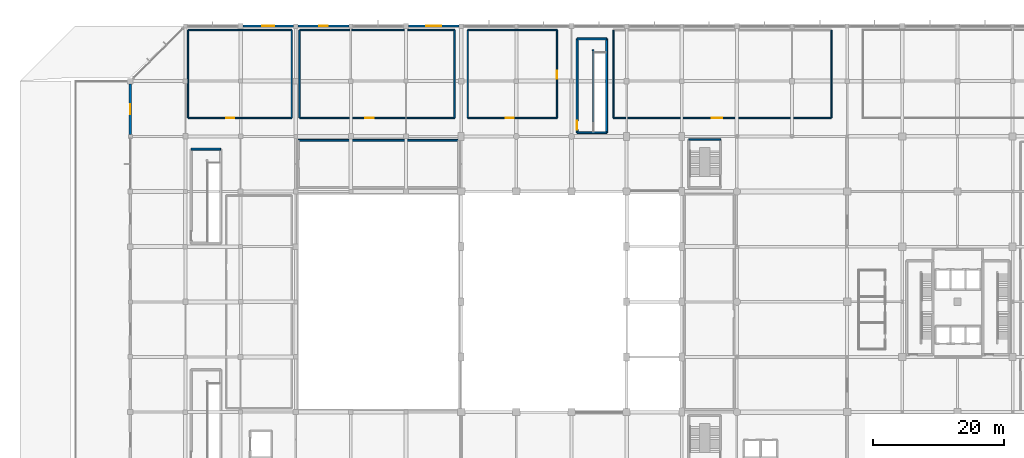
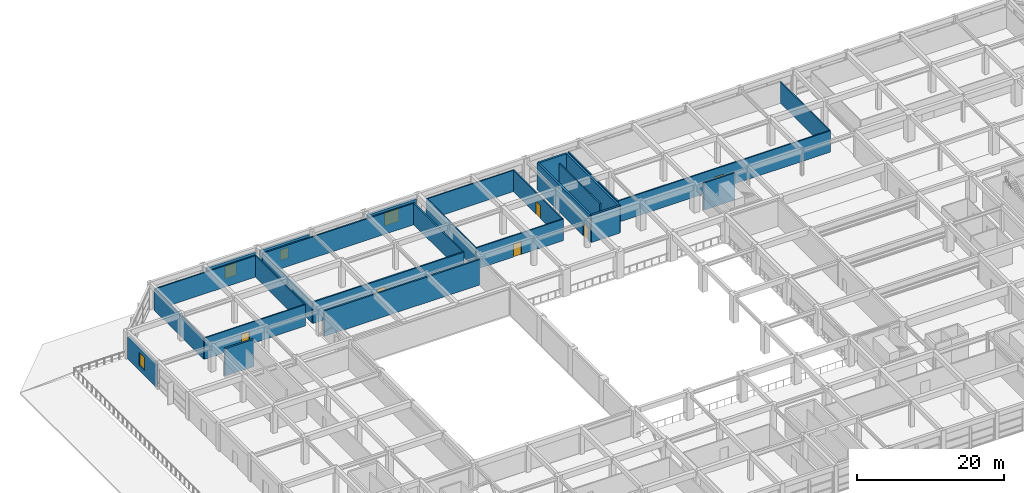
# One storey, part 45 of 56: 27 walls, 6 doors, 4 windows, 10 openings.
"""IFC4 building model written with IfcOpenShell, lengths in metres."""

import ifcopenshell
import ifcopenshell.guid

model = None  # the IFC model being written
_history = None  # IfcOwnerHistory: only IFC2X3 demands one
_inside = {}  # id of a spatial element -> (the spatial element, [elements in it])
_under = {}  # id of a project, library or spatial element -> (it, [spatial elements below it])
_declared = {}  # id of a project -> (the project, [libraries it declares])
_typed = {}  # id of a type object -> (the type object, [elements of that type])
_made_of = {}  # id of a material, layer set ... -> (it, [elements and type objects made of it])


def new_model(schema):
    """Start an empty IFC model of exactly this schema.

    Asked for "IFC4X3", IfcOpenShell would pick the latest addendum, in which some entities
    have other attributes; the version numbers below select the first issue.
    IFC2X3 requires an IfcOwnerHistory on every rooted entity: one is made here for all.
    """
    global model, _history
    if schema == "IFC4X3":
        model = ifcopenshell.file(schema_version=(4, 3, 0, 0))
    else:
        model = ifcopenshell.file(schema=schema)
    _inside.clear()
    _under.clear()
    _declared.clear()
    _typed.clear()
    _made_of.clear()
    _history = None
    if model.schema == "IFC2X3":
        org = make("IfcOrganization", Name="unknown")
        user = make(
            "IfcPersonAndOrganization",
            ThePerson=make("IfcPerson", FamilyName="unknown"),
            TheOrganization=org,
        )
        app = make(
            "IfcApplication",
            ApplicationDeveloper=org,
            Version="unknown",
            ApplicationFullName="unknown",
            ApplicationIdentifier="unknown",
        )
        _history = make(
            "IfcOwnerHistory",
            OwningUser=user,
            OwningApplication=app,
            ChangeAction="ADDED",
            CreationDate=0,
        )
    return model


def make(cls, **values):
    """One entity of the class cls with the attributes given. An attribute that is None is left unset."""
    return model.create_entity(
        cls, **{name: value for name, value in values.items() if value is not None}
    )


def rooted(cls, **values):
    """An entity with a GlobalId (a new one), such as an element, a storey or a relation."""
    return make(cls, GlobalId=ifcopenshell.guid.new(), OwnerHistory=_history, **values)


def si_unit(unit_type, name, prefix=None):
    """IfcSIUnit, for example si_unit("LENGTHUNIT", "METRE", prefix="MILLI")."""
    return make("IfcSIUnit", UnitType=unit_type, Prefix=prefix, Name=name)


def assignment(units):
    """IfcUnitAssignment: the units of a project."""
    return None if units is None else make("IfcUnitAssignment", Units=units)


def point(xyz):
    """IfcCartesianPoint."""
    return None if xyz is None else make("IfcCartesianPoint", Coordinates=xyz)


def direction(xyz):
    """IfcDirection."""
    return None if xyz is None else make("IfcDirection", DirectionRatios=xyz)


def frame(location, z_axis=None, x_axis=None):
    """IfcAxis2Placement3D, a coordinate frame: its origin and axes. An axis left out is left unset."""
    return make(
        "IfcAxis2Placement3D",
        Location=point(location),
        Axis=direction(z_axis),
        RefDirection=direction(x_axis),
    )


def frame_2d(location, x_axis=None):
    """IfcAxis2Placement2D, a coordinate frame in the plane: its origin and x axis."""
    return make(
        "IfcAxis2Placement2D", Location=point(location), RefDirection=direction(x_axis)
    )


def origin():
    """The frame at (0, 0, 0) with its axes left unset."""
    return frame((0.0, 0.0, 0.0))


def place(relative_to, where):
    """IfcLocalPlacement: puts the frame where relative to a parent placement (None: the world)."""
    return make(
        "IfcLocalPlacement", PlacementRelTo=relative_to, RelativePlacement=where
    )


def context(
    kind, dimensions, precision=None, world=None, true_north=None, identifier=None
):
    """IfcGeometricRepresentationContext, for example the 3D "Model" context."""
    return make(
        "IfcGeometricRepresentationContext",
        ContextIdentifier=identifier,
        ContextType=kind,
        CoordinateSpaceDimension=dimensions,
        Precision=precision,
        WorldCoordinateSystem=world,
        TrueNorth=true_north,
    )


def subcontext(parent, identifier, kind, view, scale=None):
    """IfcGeometricRepresentationSubContext, for example "Body" below "Model"."""
    return make(
        "IfcGeometricRepresentationSubContext",
        ContextIdentifier=identifier,
        ContextType=kind,
        ParentContext=parent,
        TargetScale=scale,
        TargetView=view,
    )


def project(units=None, contexts=None):
    """IfcProject with its units and contexts."""
    return rooted(
        "IfcProject",
        Name="project",
        RepresentationContexts=contexts,
        UnitsInContext=assignment(units),
    )


def spatial(cls, under=None, at=None, **own):
    """A site, building, storey or space (cls), placed at a placement, below another one or the project."""
    s = rooted(cls, ObjectPlacement=at, **own)
    if under is not None:
        _under.setdefault(under.id(), (under, []))[1].append(s)
    return s


def profile(cls, at=None, kind="AREA", **sizes):
    """A parametric profile (cls). Its sizes go by their IFC names, for example OverallWidth=200.0."""
    return make(cls, ProfileType=kind, Position=at, **sizes)


def rectangle(**sizes):
    """IfcRectangleProfileDef."""
    return profile("IfcRectangleProfileDef", **sizes)


def extrude(swept, where, along, depth):
    """IfcExtrudedAreaSolid: the profile swept, set in the frame where, extruded along a direction by depth."""
    return make(
        "IfcExtrudedAreaSolid",
        SweptArea=swept,
        Position=where,
        ExtrudedDirection=direction(along),
        Depth=depth,
    )


def shape(context_of_items, identifier, shape_type, items):
    """IfcShapeRepresentation: the items that make up one representation, for example the "Body"."""
    return make(
        "IfcShapeRepresentation",
        ContextOfItems=context_of_items,
        RepresentationIdentifier=identifier,
        RepresentationType=shape_type,
        Items=items,
    )


def material(Name=None, Category=None):
    """IfcMaterial."""
    return make("IfcMaterial", Name=Name, Category=Category)


def layer(
    of_material, thickness, ventilated=None, Name=None, Category=None, Priority=None
):
    """IfcMaterialLayer: one layer of a wall or slab, of a material (None: an air gap)."""
    return make(
        "IfcMaterialLayer",
        Material=of_material,
        LayerThickness=thickness,
        IsVentilated=ventilated,
        Name=Name,
        Category=Category,
        Priority=Priority,
    )


def layer_set(layers, Name=None):
    """IfcMaterialLayerSet."""
    return make("IfcMaterialLayerSet", MaterialLayers=layers, LayerSetName=Name)


def made_of(thing, what):
    """Note that an element or type object is made of a material, layer set ...; save() writes the relation."""
    if what is not None:
        _made_of.setdefault(what.id(), (what, []))[1].append(thing)
    return thing


def type_object(cls, material=None, **own):
    """A type object (cls), such as IfcWallType, which elements share."""
    return made_of(rooted(cls, **own), material)


def element(
    cls,
    number,
    at=None,
    inside=None,
    cuts=None,
    type_object=None,
    material=None,
    context=None,
    identifier="Body",
    shape_type=None,
    held_by="IfcProductDefinitionShape",
    body=None,
    shapes=None,
    **own,
):
    """One element of the class cls, such as IfcWall. Its Tag is "e" and its number.

    at: its placement. inside: the storey or other place that contains it. cuts: it is an
    opening in that element (IfcRelVoidsElement). A single representation is given by context,
    identifier, shape_type and body (its items); several are given by shapes. held_by: the class
    of the entity that holds the representations. save() writes the other relations.
    """
    e = rooted(cls, Tag="e%d" % number, ObjectPlacement=at, **own)
    if body is not None:
        shapes = [shape(context, identifier, shape_type, body)]
    if shapes is not None:
        e.Representation = make(held_by, Representations=shapes)
    if inside is not None:
        _inside.setdefault(inside.id(), (inside, []))[1].append(e)
    if cuts is not None:
        rooted(
            "IfcRelVoidsElement", RelatingBuildingElement=cuts, RelatedOpeningElement=e
        )
    if type_object is not None:
        _typed.setdefault(type_object.id(), (type_object, []))[1].append(e)
    return made_of(e, material)


def fill(opening, filler):
    """IfcRelFillsElement: the door or window that sits in an opening."""
    return rooted(
        "IfcRelFillsElement",
        RelatingOpeningElement=opening,
        RelatedBuildingElement=filler,
    )


def aggregate(whole, parts):
    """IfcRelAggregates: a whole, such as a stair, and the parts it consists of."""
    return rooted("IfcRelAggregates", RelatingObject=whole, RelatedObjects=parts)


def save(model, path):
    """Write the relations noted so far, then the file.

    IfcRelAggregates (storeys below a building ...), IfcRelContainedInSpatialStructure (elements
    in a storey), IfcRelDefinesByType, IfcRelAssociatesMaterial and IfcRelDeclares: one each for
    every whole, place, type object, material and project.
    """
    for whole, parts in _under.values():
        aggregate(whole, parts)
    for where, things in _inside.values():
        rooted(
            "IfcRelContainedInSpatialStructure",
            RelatedElements=things,
            RelatingStructure=where,
        )
    for kind, things in _typed.values():
        rooted("IfcRelDefinesByType", RelatedObjects=things, RelatingType=kind)
    for what, things in _made_of.values():
        rooted("IfcRelAssociatesMaterial", RelatedObjects=things, RelatingMaterial=what)
    for by, libraries in _declared.values():
        rooted("IfcRelDeclares", RelatingContext=by, RelatedDefinitions=libraries)
    model.write(path)


model = new_model("IFC4")

# Units and contexts
model_context = context("Model", 3, precision=1e-05, world=origin(), true_north=direction((0.0, 1.0)))
body_context = subcontext(model_context, "Body", "Model", "MODEL_VIEW")
ifc_project = project(units=[si_unit("LENGTHUNIT", "METRE"), si_unit("AREAUNIT", "SQUARE_METRE"), si_unit("VOLUMEUNIT", "CUBIC_METRE"), si_unit("PLANEANGLEUNIT", "RADIAN"), si_unit("MASSUNIT", "GRAM", prefix="KILO")], contexts=[model_context])

# Site, building, storey
site_placement = place(None, origin())
site = spatial("IfcSite", under=ifc_project, at=site_placement, CompositionType="ELEMENT")
building_placement = place(site_placement, origin())
building = spatial("IfcBuilding", under=site, at=building_placement, Name="Xuanlan Plaza Opera House", CompositionType="ELEMENT")
storey_placement = place(building_placement, frame((0.0, 0.0, 18.89990234375)))
storey = spatial("IfcBuildingStorey", under=building, at=storey_placement, Name="L04", CompositionType="ELEMENT", Elevation=18.89990234375)

# Wall, opening, window
ifc_material_1 = material(Name="Anodised Aluminium 6063-T6 and Rockwool Cladding", Category="aluminium")
ifc_layer_1 = layer(ifc_material_1, 0.340087890625)
ifc_layer_set_1 = layer_set([ifc_layer_1], Name="Anodised Aluminium 6063-T6 and Rockwool Cladding")
wall_type_1 = type_object("IfcWallType", Name="ENV-WL-EW-02", PredefinedType="STANDARD", material=ifc_layer_set_1)
wall_1_placement = place(storey_placement, frame((66.85009765625, 100.800048828125, 0.0), z_axis=(0.0, 0.0, 1.0), x_axis=(-1.0, 0.0, 0.0)))
wall_1 = element("IfcWall", 1, at=wall_1_placement, inside=storey, type_object=wall_type_1, Name="Exterior Wall L04-038", PredefinedType="STANDARD", context=body_context, shape_type="SweptSolid", body=[
    extrude(rectangle(XDim=7.650146484375, YDim=0.340087890625, at=frame_2d((3.8251953125, 0.0))), origin(), (0.0, 0.0, 1.0), 3.68017578125),
])
opening_1_placement = place(wall_1_placement, frame((2.675048828125, 0.0, 0.85009765625)))
opening_1 = element("IfcOpeningElement", 2, at=opening_1_placement, cuts=wall_1, Name="Opening WN-14", PredefinedType="OPENING", context=body_context, shape_type="SweptSolid", body=[
    extrude(rectangle(XDim=2.300048828125, YDim=2.14990234375, at=frame_2d((1.14990234375, 1.074951171875))), frame((0.0, 0.179931640625, 0.0), z_axis=(0.0, -1.0, 0.0), x_axis=(1.0, 0.0, 0.0)), (0.0, 0.0, 1.0), 0.360107421875),
])
ifc_material_2 = material(Name="Anodised Aluminium 6063-T6 and Low-E Glass", Category="aluminium")
window_type_1 = type_object("IfcWindowType", Name="ENV-WN-WN-14", PartitioningType="DOUBLE_PANEL_VERTICAL", PredefinedType="WINDOW", material=ifc_material_2)
window_1_placement = place(opening_1_placement, origin())
window_1 = element("IfcWindow", 3, at=window_1_placement, inside=storey, type_object=window_type_1, Name="Facade Window L04-038", OverallHeight=2.14990234375, OverallWidth=2.300048828125, PartitioningType="DOUBLE_PANEL_VERTICAL", PredefinedType="WINDOW", context=body_context, shape_type="SweptSolid", body=[
    extrude(rectangle(XDim=2.300048828125, YDim=2.14990234375, at=frame_2d((1.14990234375, 1.074951171875))), frame((0.0, 0.030029296875, 0.0), z_axis=(0.0, -1.0, 0.0), x_axis=(1.0, 0.0, 0.0)), (0.0, 0.0, 1.0), 0.06005859375),
])
fill(opening_1, window_1)

wall_2_placement = place(storey_placement, frame((16.800048828125, 92.0, 0.0), z_axis=(0.0, 0.0, 1.0), x_axis=(0.0, -1.0, 0.0)))
wall_2 = element("IfcWall", 4, at=wall_2_placement, inside=storey, type_object=wall_type_1, Name="Exterior Wall L04-044", PredefinedType="STANDARD", context=body_context, shape_type="SweptSolid", body=[
    extrude(rectangle(XDim=7.699951171875, YDim=0.340087890625, at=frame_2d((3.85009765625, 0.0))), origin(), (0.0, 0.0, 1.0), 3.68017578125),
])
opening_2_placement = place(wall_2_placement, frame((3.074951171875, 0.0, 0.85009765625)))
opening_2 = element("IfcOpeningElement", 5, at=opening_2_placement, cuts=wall_2, Name="Opening WN-20", PredefinedType="OPENING", context=body_context, shape_type="SweptSolid", body=[
    extrude(rectangle(XDim=1.550048828125, YDim=2.14990234375, at=frame_2d((0.77490234375, 1.074951171875))), frame((0.0, 0.179931640625, 0.0), z_axis=(0.0, -1.0, 0.0), x_axis=(1.0, 0.0, 0.0)), (0.0, 0.0, 1.0), 0.360107421875),
])
window_type_2 = type_object("IfcWindowType", Name="ENV-WN-WN-20", PartitioningType="SINGLE_PANEL", PredefinedType="WINDOW", material=ifc_material_2)
window_2_placement = place(opening_2_placement, origin())
window_2 = element("IfcWindow", 6, at=window_2_placement, inside=storey, type_object=window_type_2, Name="Facade Window L04-044", OverallHeight=2.14990234375, OverallWidth=1.550048828125, PartitioningType="SINGLE_PANEL", PredefinedType="WINDOW", context=body_context, shape_type="SweptSolid", body=[
    extrude(rectangle(XDim=1.550048828125, YDim=2.14990234375, at=frame_2d((0.77490234375, 1.074951171875))), frame((0.0, 0.030029296875, 0.0), z_axis=(0.0, -1.0, 0.0), x_axis=(1.0, 0.0, 0.0)), (0.0, 0.0, 1.0), 0.06005859375),
])
fill(opening_2, window_2)

ifc_layer_2 = layer(ifc_material_1, 0.31005859375)
ifc_layer_set_2 = layer_set([ifc_layer_2], Name="Anodised Aluminium 6063-T6 and Rockwool Cladding")
wall_type_2 = type_object("IfcWallType", Name="ENV-WL-EW-04", PredefinedType="STANDARD", material=ifc_layer_set_2)
wall_3_placement = place(storey_placement, frame((50.10009765625, 100.800048828125, 0.0), z_axis=(0.0, 0.0, 1.0), x_axis=(-1.0, 0.0, 0.0)))
wall_3 = element("IfcWall", 7, at=wall_3_placement, inside=storey, type_object=wall_type_2, Name="Exterior Wall L04-040", PredefinedType="STANDARD", context=body_context, shape_type="SweptSolid", body=[
    extrude(rectangle(XDim=7.75, YDim=0.31005859375, at=frame_2d((3.875, 0.0))), origin(), (0.0, 0.0, 1.0), 3.68017578125),
])
opening_3_placement = place(wall_3_placement, frame((3.199951171875, 0.0, 0.85009765625)))
opening_3 = element("IfcOpeningElement", 8, at=opening_3_placement, cuts=wall_3, Name="Opening WN-16", PredefinedType="OPENING", context=body_context, shape_type="SweptSolid", body=[
    extrude(rectangle(XDim=1.35009765625, YDim=1.75, at=frame_2d((0.675048828125, 0.875))), frame((0.0, 0.1650390625, 0.0), z_axis=(0.0, -1.0, 0.0), x_axis=(1.0, 0.0, 0.0)), (0.0, 0.0, 1.0), 0.330078125),
])
window_type_3 = type_object("IfcWindowType", Name="ENV-WN-WN-16", PartitioningType="SINGLE_PANEL", PredefinedType="WINDOW", material=ifc_material_2)
window_3_placement = place(opening_3_placement, origin())
window_3 = element("IfcWindow", 9, at=window_3_placement, inside=storey, type_object=window_type_3, Name="Facade Window L04-040", OverallHeight=1.75, OverallWidth=1.35009765625, PartitioningType="SINGLE_PANEL", PredefinedType="WINDOW", context=body_context, shape_type="SweptSolid", body=[
    extrude(rectangle(XDim=1.35009765625, YDim=1.75, at=frame_2d((0.675048828125, 0.875))), frame((0.0, 0.030029296875, 0.0), z_axis=(0.0, -1.0, 0.0), x_axis=(1.0, 0.0, 0.0)), (0.0, 0.0, 1.0), 0.06005859375),
])
fill(opening_3, window_3)

ifc_layer_3 = layer(ifc_material_1, 0.2900390625)
ifc_layer_set_3 = layer_set([ifc_layer_3], Name="Anodised Aluminium 6063-T6 and Rockwool Cladding")
wall_type_3 = type_object("IfcWallType", Name="ENV-WL-EW-05", PredefinedType="STANDARD", material=ifc_layer_set_3)
wall_4_placement = place(storey_placement, frame((41.64990234375, 100.800048828125, 0.0), z_axis=(0.0, 0.0, 1.0), x_axis=(-1.0, 0.0, 0.0)))
wall_4 = element("IfcWall", 10, at=wall_4_placement, inside=storey, type_object=wall_type_3, Name="Exterior Wall L04-041", PredefinedType="STANDARD", context=body_context, shape_type="SweptSolid", body=[
    extrude(rectangle(XDim=7.64990234375, YDim=0.2900390625, at=frame_2d((3.824951171875, 0.0))), origin(), (0.0, 0.0, 1.0), 3.68017578125),
])
opening_4_placement = place(wall_4_placement, frame((2.89990234375, 0.0, 0.85009765625)))
opening_4 = element("IfcOpeningElement", 11, at=opening_4_placement, cuts=wall_4, Name="Opening WN-17", PredefinedType="OPENING", context=body_context, shape_type="SweptSolid", body=[
    extrude(rectangle(XDim=1.85009765625, YDim=2.050048828125, at=frame_2d((0.925048828125, 1.02490234375))), frame((0.0, 0.155029296875, 0.0), z_axis=(0.0, -1.0, 0.0), x_axis=(1.0, 0.0, 0.0)), (0.0, 0.0, 1.0), 0.31005859375),
])
window_type_4 = type_object("IfcWindowType", Name="ENV-WN-WN-17", PartitioningType="DOUBLE_PANEL_VERTICAL", PredefinedType="WINDOW", material=ifc_material_2)
window_4_placement = place(opening_4_placement, origin())
window_4 = element("IfcWindow", 12, at=window_4_placement, inside=storey, type_object=window_type_4, Name="Facade Window L04-041", OverallHeight=2.050048828125, OverallWidth=1.85009765625, PartitioningType="DOUBLE_PANEL_VERTICAL", PredefinedType="WINDOW", context=body_context, shape_type="SweptSolid", body=[
    extrude(rectangle(XDim=1.85009765625, YDim=2.050048828125, at=frame_2d((0.925048828125, 1.02490234375))), frame((0.0, 0.030029296875, 0.0), z_axis=(0.0, -1.0, 0.0), x_axis=(1.0, 0.0, 0.0)), (0.0, 0.0, 1.0), 0.06005859375),
])
fill(opening_4, window_4)

# Wall, opening, door
ifc_material_3 = material(Name="Gypsum Board and Galvanised Steel Studs", Category="gypsum")
ifc_layer_4 = layer(ifc_material_3, 0.179931640625)
ifc_layer_set_4 = layer_set([ifc_layer_4], Name="Gypsum Board and Galvanised Steel Studs")
wall_type_4 = type_object("IfcWallType", Name="INT-WL-PW-02", PredefinedType="PARTITIONING", material=ifc_layer_set_4)
wall_5_placement = place(storey_placement, frame((25.60009765625, 86.800048828125, 0.0), z_axis=(0.0, 0.0, 1.0), x_axis=(1.0, 0.0, 0.0)))
wall_5 = element("IfcWall", 13, at=wall_5_placement, inside=storey, type_object=wall_type_4, Name="Choral Coaching Studio Wall South", PredefinedType="PARTITIONING", context=body_context, shape_type="SweptSolid", body=[
    extrude(rectangle(XDim=15.7998046875, YDim=0.179931640625, at=frame_2d((7.89990234375, 0.0))), origin(), (0.0, 0.0, 1.0), 3.5400390625),
])
opening_5_placement = place(wall_5_placement, frame((5.800048828125, 0.0, 0.0)))
opening_5 = element("IfcOpeningElement", 14, at=opening_5_placement, cuts=wall_5, Name="Opening D-05", PredefinedType="OPENING", context=body_context, shape_type="SweptSolid", body=[
    extrude(rectangle(XDim=1.219970703125, YDim=2.14990234375, at=frame_2d((0.60986328125, 1.074951171875))), frame((0.0, 0.099853515625, 0.0), z_axis=(0.0, -1.0, 0.0), x_axis=(1.0, 0.0, 0.0)), (0.0, 0.0, 1.0), 0.199951171875),
])
ifc_material_4 = material(Name="Walnut Hardwood Timber", Category="wood")
door_type_1 = type_object("IfcDoorType", Name="INT-DR-D-05", OperationType="NOTDEFINED", PredefinedType="DOOR", material=ifc_material_4)
door_1_placement = place(opening_5_placement, origin())
door_1 = element("IfcDoor", 15, at=door_1_placement, inside=storey, type_object=door_type_1, Name="Choral Coaching Studio Door 1", OperationType="SINGLE_SWING_LEFT", OverallHeight=2.14990234375, OverallWidth=1.219970703125, PredefinedType="DOOR", context=body_context, shape_type="SweptSolid", body=[
    extrude(rectangle(XDim=1.219970703125, YDim=2.14990234375, at=frame_2d((0.60986328125, 1.074951171875))), frame((0.0, 0.02490234375, 0.0), z_axis=(0.0, -1.0, 0.0), x_axis=(1.0, 0.0, 0.0)), (0.0, 0.0, 1.0), 0.050048828125),
])
fill(opening_5, door_1)

# Walls
wall_6_placement = place(storey_placement, frame((25.60009765625, 100.199951171875, 0.0), z_axis=(0.0, 0.0, 1.0), x_axis=(1.0, 0.0, 0.0)))
element("IfcWall", 16, at=wall_6_placement, inside=storey, type_object=wall_type_4, Name="Choral Coaching Studio Wall North", PredefinedType="PARTITIONING", context=body_context, shape_type="SweptSolid", body=[
    extrude(rectangle(XDim=15.7998046875, YDim=0.179931640625, at=frame_2d((7.89990234375, 0.0))), origin(), (0.0, 0.0, 1.0), 3.5400390625),
])
for number, where, z_axis, x_axis, name in (
    (17, (25.60009765625, 86.800048828125, 0.0), (0.0, 0.0, 1.0), (0.0, 1.0, 0.0), "Choral Coaching Studio Wall West"),
    (18, (41.39990234375, 86.800048828125, 0.0), (0.0, 0.0, 1.0), (0.0, 1.0, 0.0), "Choral Coaching Studio Wall East"),
):
    element("IfcWall", number, at=place(storey_placement, frame(where, z_axis=z_axis, x_axis=x_axis)), inside=storey, type_object=wall_type_4, Name=name, PredefinedType="PARTITIONING", context=body_context, shape_type="SweptSolid", body=[
        extrude(rectangle(XDim=13.39990234375, YDim=0.179931640625, at=frame_2d((6.699951171875, 0.0))), origin(), (0.0, 0.0, 1.0), 3.5400390625),
    ])

# Wall, opening, door
wall_7_placement = place(storey_placement, frame((68.199951171875, 86.800048828125, 0.0), z_axis=(0.0, 0.0, 1.0), x_axis=(1.0, 0.0, 0.0)))
wall_7 = element("IfcWall", 19, at=wall_7_placement, inside=storey, type_object=wall_type_4, Name="Opera Production Sheet-Music Archive Wall South", PredefinedType="PARTITIONING", context=body_context, shape_type="SweptSolid", body=[
    extrude(rectangle(XDim=13.60009765625, YDim=0.179931640625, at=frame_2d((6.800048828125, 0.0))), origin(), (0.0, 0.0, 1.0), 3.5400390625),
])
opening_6_placement = place(wall_7_placement, frame((5.800048828125, 0.0, 0.0)))
opening_6 = element("IfcOpeningElement", 20, at=opening_6_placement, cuts=wall_7, Name="Opening D-05", PredefinedType="OPENING", context=body_context, shape_type="SweptSolid", body=[
    extrude(rectangle(XDim=1.219970703125, YDim=2.14990234375, at=frame_2d((0.60986328125, 1.074951171875))), frame((0.0, 0.099853515625, 0.0), z_axis=(0.0, -1.0, 0.0), x_axis=(1.0, 0.0, 0.0)), (0.0, 0.0, 1.0), 0.199951171875),
])
door_2_placement = place(opening_6_placement, origin())
door_2 = element("IfcDoor", 21, at=door_2_placement, inside=storey, type_object=door_type_1, Name="Opera Production Sheet-Music Archive Door 1", OperationType="SINGLE_SWING_LEFT", OverallHeight=2.14990234375, OverallWidth=1.219970703125, PredefinedType="DOOR", context=body_context, shape_type="SweptSolid", body=[
    extrude(rectangle(XDim=1.219970703125, YDim=2.14990234375, at=frame_2d((0.60986328125, 1.074951171875))), frame((0.0, 0.02490234375, 0.0), z_axis=(0.0, -1.0, 0.0), x_axis=(1.0, 0.0, 0.0)), (0.0, 0.0, 1.0), 0.050048828125),
])
fill(opening_6, door_2)

# Walls
wall_8_placement = place(storey_placement, frame((68.199951171875, 100.199951171875, 0.0), z_axis=(0.0, 0.0, 1.0), x_axis=(1.0, 0.0, 0.0)))
element("IfcWall", 22, at=wall_8_placement, inside=storey, type_object=wall_type_4, Name="Opera Production Sheet-Music Archive Wall North", PredefinedType="PARTITIONING", context=body_context, shape_type="SweptSolid", body=[
    extrude(rectangle(XDim=13.60009765625, YDim=0.179931640625, at=frame_2d((6.800048828125, 0.0))), origin(), (0.0, 0.0, 1.0), 3.5400390625),
])
wall_9_placement = place(storey_placement, frame((68.199951171875, 86.800048828125, 0.0), z_axis=(0.0, 0.0, 1.0), x_axis=(0.0, 1.0, 0.0)))
element("IfcWall", 23, at=wall_9_placement, inside=storey, type_object=wall_type_4, Name="Opera Production Sheet-Music Archive Wall West", PredefinedType="PARTITIONING", context=body_context, shape_type="SweptSolid", body=[
    extrude(rectangle(XDim=13.39990234375, YDim=0.179931640625, at=frame_2d((6.699951171875, 0.0))), origin(), (0.0, 0.0, 1.0), 3.5400390625),
])

# Wall, opening, door
wall_10_placement = place(storey_placement, frame((81.800048828125, 86.800048828125, 0.0), z_axis=(0.0, 0.0, 1.0), x_axis=(0.0, 1.0, 0.0)))
wall_10 = element("IfcWall", 24, at=wall_10_placement, inside=storey, type_object=wall_type_4, Name="Opera Production Sheet-Music Archive Wall East", PredefinedType="PARTITIONING", context=body_context, shape_type="SweptSolid", body=[
    extrude(rectangle(XDim=13.39990234375, YDim=0.179931640625, at=frame_2d((6.699951171875, 0.0))), origin(), (0.0, 0.0, 1.0), 3.5400390625),
])
opening_7_placement = place(wall_10_placement, frame((6.0, 0.0, 0.0)))
opening_7 = element("IfcOpeningElement", 25, at=opening_7_placement, cuts=wall_10, Name="Opening D-05", PredefinedType="OPENING", context=body_context, shape_type="SweptSolid", body=[
    extrude(rectangle(XDim=1.219970703125, YDim=2.14990234375, at=frame_2d((0.60986328125, 1.074951171875))), frame((0.0, 0.099853515625, 0.0), z_axis=(0.0, -1.0, 0.0), x_axis=(1.0, 0.0, 0.0)), (0.0, 0.0, 1.0), 0.199951171875),
])
door_3_placement = place(opening_7_placement, origin())
door_3 = element("IfcDoor", 26, at=door_3_placement, inside=storey, type_object=door_type_1, Name="Opera Production Sheet-Music Archive Door 1", OperationType="SINGLE_SWING_RIGHT", OverallHeight=2.14990234375, OverallWidth=1.219970703125, PredefinedType="DOOR", context=body_context, shape_type="SweptSolid", body=[
    extrude(rectangle(XDim=1.219970703125, YDim=2.14990234375, at=frame_2d((0.60986328125, 1.074951171875))), frame((0.0, 0.02490234375, 0.0), z_axis=(0.0, -1.0, 0.0), x_axis=(1.0, 0.0, 0.0)), (0.0, 0.0, 1.0), 0.050048828125),
])
fill(opening_7, door_3)

wall_11_placement = place(storey_placement, frame((90.39990234375, 86.800048828125, 0.0), z_axis=(0.0, 0.0, 1.0), x_axis=(1.0, 0.0, 0.0)))
wall_11 = element("IfcWall", 27, at=wall_11_placement, inside=storey, type_object=wall_type_4, Name="Cultural Programme Office Wall South", PredefinedType="PARTITIONING", context=body_context, shape_type="SweptSolid", body=[
    extrude(rectangle(XDim=33.2001953125, YDim=0.179931640625, at=frame_2d((16.60009765625, 0.0))), origin(), (0.0, 0.0, 1.0), 3.5400390625),
])
opening_8_placement = place(wall_11_placement, frame((15.0, 0.0, 0.0)))
opening_8 = element("IfcOpeningElement", 28, at=opening_8_placement, cuts=wall_11, Name="Opening D-13", PredefinedType="OPENING", context=body_context, shape_type="SweptSolid", body=[
    extrude(rectangle(XDim=1.56005859375, YDim=2.199951171875, at=frame_2d((0.780029296875, 1.10009765625))), frame((0.0, 0.099853515625, 0.0), z_axis=(0.0, -1.0, 0.0), x_axis=(1.0, 0.0, 0.0)), (0.0, 0.0, 1.0), 0.199951171875),
])
door_type_2 = type_object("IfcDoorType", Name="INT-DR-D-13", OperationType="DOUBLE_DOOR_SINGLE_SWING", PredefinedType="DOOR", material=ifc_material_4)
door_4_placement = place(opening_8_placement, origin())
door_4 = element("IfcDoor", 29, at=door_4_placement, inside=storey, type_object=door_type_2, Name="Cultural Programme Office Door 1", OperationType="DOUBLE_DOOR_SINGLE_SWING", OverallHeight=2.199951171875, OverallWidth=1.56005859375, PredefinedType="DOOR", context=body_context, shape_type="SweptSolid", body=[
    extrude(rectangle(XDim=1.56005859375, YDim=2.199951171875, at=frame_2d((0.780029296875, 1.10009765625))), frame((0.0, 0.02490234375, 0.0), z_axis=(0.0, -1.0, 0.0), x_axis=(1.0, 0.0, 0.0)), (0.0, 0.0, 1.0), 0.050048828125),
])
fill(opening_8, door_4)

# Walls
for number, where, z_axis, x_axis, name in (
    (30, (90.39990234375, 86.800048828125, 0.0), (0.0, 0.0, 1.0), (0.0, 1.0, 0.0), "Cultural Programme Office Wall West"),
    (31, (123.60009765625, 86.800048828125, 0.0), (0.0, 0.0, 1.0), (0.0, 1.0, 0.0), "Cultural Programme Office Wall East"),
):
    element("IfcWall", number, at=place(storey_placement, frame(where, z_axis=z_axis, x_axis=x_axis)), inside=storey, type_object=wall_type_4, Name=name, PredefinedType="PARTITIONING", context=body_context, shape_type="SweptSolid", body=[
        extrude(rectangle(XDim=13.39990234375, YDim=0.179931640625, at=frame_2d((6.699951171875, 0.0))), origin(), (0.0, 0.0, 1.0), 3.5400390625),
    ])

# Wall, opening, door
ifc_material_5 = material(Name="Autoclaved Aerated Blockwork Masonry", Category="masonry")
ifc_layer_5 = layer(ifc_material_5, 0.219970703125)
ifc_layer_set_5 = layer_set([ifc_layer_5], Name="Autoclaved Aerated Blockwork Masonry")
wall_type_5 = type_object("IfcWallType", Name="INT-WL-PW-06", PredefinedType="PARTITIONING", material=ifc_layer_set_5)
wall_12_placement = place(storey_placement, frame((42.60009765625, 86.800048828125, 0.0), z_axis=(0.0, 0.0, 1.0), x_axis=(1.0, 0.0, 0.0)))
wall_12 = element("IfcWall", 32, at=wall_12_placement, inside=storey, type_object=wall_type_5, Name="Luthier and Instrument Workshop Wall South", PredefinedType="PARTITIONING", context=body_context, shape_type="SweptSolid", body=[
    extrude(rectangle(XDim=23.599853515625, YDim=0.219970703125, at=frame_2d((11.7998046875, 0.0))), origin(), (0.0, 0.0, 1.0), 3.5400390625),
])
opening_9_placement = place(wall_12_placement, frame((10.0, 0.0, 0.0)))
opening_9 = element("IfcOpeningElement", 33, at=opening_9_placement, cuts=wall_12, Name="Opening D-11", PredefinedType="OPENING", context=body_context, shape_type="SweptSolid", body=[
    extrude(rectangle(XDim=1.280029296875, YDim=2.159912109375, at=frame_2d((0.64013671875, 1.080078125))), frame((0.0, 0.119873046875, 0.0), z_axis=(0.0, -1.0, 0.0), x_axis=(1.0, 0.0, 0.0)), (0.0, 0.0, 1.0), 0.239990234375),
])
door_type_3 = type_object("IfcDoorType", Name="INT-DR-D-11", OperationType="NOTDEFINED", PredefinedType="DOOR", material=ifc_material_4)
door_5_placement = place(opening_9_placement, origin())
door_5 = element("IfcDoor", 34, at=door_5_placement, inside=storey, type_object=door_type_3, Name="Luthier and Instrument Workshop Door 1", OperationType="SINGLE_SWING_LEFT", OverallHeight=2.159912109375, OverallWidth=1.280029296875, PredefinedType="DOOR", context=body_context, shape_type="SweptSolid", body=[
    extrude(rectangle(XDim=1.280029296875, YDim=2.159912109375, at=frame_2d((0.64013671875, 1.080078125))), frame((0.0, 0.02490234375, 0.0), z_axis=(0.0, -1.0, 0.0), x_axis=(1.0, 0.0, 0.0)), (0.0, 0.0, 1.0), 0.050048828125),
])
fill(opening_9, door_5)

# Walls
wall_13_placement = place(storey_placement, frame((42.60009765625, 100.199951171875, 0.0), z_axis=(0.0, 0.0, 1.0), x_axis=(1.0, 0.0, 0.0)))
element("IfcWall", 35, at=wall_13_placement, inside=storey, type_object=wall_type_5, Name="Luthier and Instrument Workshop Wall North", PredefinedType="PARTITIONING", context=body_context, shape_type="SweptSolid", body=[
    extrude(rectangle(XDim=23.599853515625, YDim=0.219970703125, at=frame_2d((11.7998046875, 0.0))), origin(), (0.0, 0.0, 1.0), 3.5400390625),
])
for number, where, z_axis, x_axis, name in (
    (36, (42.60009765625, 86.800048828125, 0.0), (0.0, 0.0, 1.0), (0.0, 1.0, 0.0), "Luthier and Instrument Workshop Wall West"),
    (37, (66.199951171875, 86.800048828125, 0.0), (0.0, 0.0, 1.0), (0.0, 1.0, 0.0), "Luthier and Instrument Workshop Wall East"),
):
    element("IfcWall", number, at=place(storey_placement, frame(where, z_axis=z_axis, x_axis=x_axis)), inside=storey, type_object=wall_type_5, Name=name, PredefinedType="PARTITIONING", context=body_context, shape_type="SweptSolid", body=[
        extrude(rectangle(XDim=13.39990234375, YDim=0.219970703125, at=frame_2d((6.699951171875, 0.0))), origin(), (0.0, 0.0, 1.0), 3.5400390625),
    ])
ifc_material_6 = material(Name="Concrete C40", Category="concrete")
ifc_layer_6 = layer(ifc_material_6, 0.25)
ifc_layer_set_6 = layer_set([ifc_layer_6], Name="Concrete C40")
wall_type_6 = type_object("IfcWallType", Name="INT-WL-SW-LF1", PredefinedType="SHEAR", material=ifc_layer_set_6)
wall_14_placement = place(storey_placement, frame((42.39990234375, 83.39990234375, 0.0), z_axis=(0.0, 0.0, 1.0), x_axis=(1.0, 0.0, 0.0)))
element("IfcWall", 38, at=wall_14_placement, inside=storey, type_object=wall_type_6, Name="Fly Tower Counterweight Walkway Wall North", PredefinedType="SHEAR", context=body_context, shape_type="SweptSolid", body=[
    extrude(rectangle(XDim=24.400146484375, YDim=0.25, at=frame_2d((12.2001953125, 0.0))), origin(), (0.0, 0.0, 1.0), 4.22021484375),
])
ifc_layer_7 = layer(ifc_material_6, 0.199951171875)
ifc_layer_set_7 = layer_set([ifc_layer_7], Name="Concrete C40")
wall_type_7 = type_object("IfcWallType", Name="INT-WL-SW-SPN", PredefinedType="SHEAR", material=ifc_layer_set_7)
wall_15_placement = place(storey_placement, frame((87.300048828125, 86.199951171875, 0.0), z_axis=(0.0, 0.0, 1.0), x_axis=(0.0, 1.0, 0.0)))
element("IfcWall", 39, at=wall_15_placement, inside=storey, type_object=wall_type_7, Name="Stair Structural Spine Wall ST-P4 L04", PredefinedType="SHEAR", context=body_context, shape_type="SweptSolid", body=[
    extrude(rectangle(XDim=11.0, YDim=0.199951171875, at=frame_2d((5.5, 0.0))), origin(), (0.0, 0.0, 1.0), 4.5),
])
ifc_layer_8 = layer(ifc_material_6, 0.300048828125)
ifc_layer_set_8 = layer_set([ifc_layer_8], Name="Concrete C40")
wall_type_8 = type_object("IfcWallType", Name="INT-WL-SW-ST1", PredefinedType="SHEAR", material=ifc_layer_set_8)
for number, where, z_axis, x_axis, name in (
    (40, (26.050048828125, 82.050048828125, 0.0), (0.0, 0.0, 1.0), (1.0, 0.0, 0.0), "Stair Core Wall ST-P2 L04 North"),
    (41, (84.85009765625, 84.550048828125, 0.0), (0.0, 0.0, 1.0), (1.0, 0.0, 0.0), "Stair Core Wall ST-P4 L04 South"),
    (42, (84.85009765625, 98.85009765625, 0.0), (0.0, 0.0, 1.0), (1.0, 0.0, 0.0), "Stair Core Wall ST-P4 L04 North"),
):
    element("IfcWall", number, at=place(storey_placement, frame(where, z_axis=z_axis, x_axis=x_axis)), inside=storey, type_object=wall_type_8, Name=name, PredefinedType="SHEAR", context=body_context, shape_type="SweptSolid", body=[
        extrude(rectangle(XDim=4.5, YDim=0.300048828125, at=frame_2d((2.25, 0.0))), origin(), (0.0, 0.0, 1.0), 4.5),
    ])

# Wall, opening, door
wall_16_placement = place(storey_placement, frame((84.85009765625, 84.550048828125, 0.0), z_axis=(0.0, 0.0, 1.0), x_axis=(0.0, 1.0, 0.0)))
wall_16 = element("IfcWall", 43, at=wall_16_placement, inside=storey, type_object=wall_type_8, Name="Stair Core Wall ST-P4 L04 West", PredefinedType="SHEAR", context=body_context, shape_type="SweptSolid", body=[
    extrude(rectangle(XDim=14.300048828125, YDim=0.300048828125, at=frame_2d((7.14990234375, 0.0))), origin(), (0.0, 0.0, 1.0), 4.5),
])
opening_10_placement = place(wall_16_placement, frame((0.449951171875, 0.0, 0.0)))
opening_10 = element("IfcOpeningElement", 44, at=opening_10_placement, cuts=wall_16, Name="Opening FD-ST2", PredefinedType="OPENING", context=body_context, shape_type="SweptSolid", body=[
    extrude(rectangle(XDim=1.35009765625, YDim=2.14990234375, at=frame_2d((0.675048828125, 1.074951171875))), frame((0.0, 0.159912109375, 0.0), z_axis=(0.0, -1.0, 0.0), x_axis=(1.0, 0.0, 0.0)), (0.0, 0.0, 1.0), 0.320068359375),
])
ifc_material_7 = material(Name="Galvanised Steel Q235B", Category="steel")
door_type_4 = type_object("IfcDoorType", Name="INT-DR-FD-ST2", OperationType="NOTDEFINED", PredefinedType="DOOR", material=ifc_material_7)
door_6_placement = place(opening_10_placement, frame((1.35009765625, 0.0, 0.0), z_axis=(0.0, 0.0, 1.0), x_axis=(-1.0, 0.0, 0.0)))
door_6 = element("IfcDoor", 45, at=door_6_placement, inside=storey, type_object=door_type_4, Name="Stair Enclosure Fire Door ST-P4 L04", OperationType="SINGLE_SWING_RIGHT", OverallHeight=2.14990234375, OverallWidth=1.35009765625, PredefinedType="DOOR", context=body_context, shape_type="SweptSolid", body=[
    extrude(rectangle(XDim=1.35009765625, YDim=2.14990234375, at=frame_2d((0.675048828125, 1.074951171875))), frame((0.0, 0.02490234375, 0.0), z_axis=(0.0, -1.0, 0.0), x_axis=(1.0, 0.0, 0.0)), (0.0, 0.0, 1.0), 0.050048828125),
])
fill(opening_10, door_6)

# Walls
wall_17_placement = place(storey_placement, frame((89.35009765625, 84.550048828125, 0.0), z_axis=(0.0, 0.0, 1.0), x_axis=(0.0, 1.0, 0.0)))
element("IfcWall", 46, at=wall_17_placement, inside=storey, type_object=wall_type_8, Name="Stair Core Wall ST-P4 L04 East", PredefinedType="SHEAR", context=body_context, shape_type="SweptSolid", body=[
    extrude(rectangle(XDim=14.300048828125, YDim=0.300048828125, at=frame_2d((7.14990234375, 0.0))), origin(), (0.0, 0.0, 1.0), 4.5),
])
ifc_layer_9 = layer(ifc_material_6, 0.25)
ifc_layer_set_9 = layer_set([ifc_layer_9], Name="Concrete C40")
wall_type_9 = type_object("IfcWallType", Name="INT-WL-SW-ST2", PredefinedType="SHEAR", material=ifc_layer_set_9)
wall_18_placement = place(storey_placement, frame((101.875, 83.5048828125, 0.0), z_axis=(0.0, 0.0, 1.0), x_axis=(1.0, 0.0, 0.0)))
element("IfcWall", 47, at=wall_18_placement, inside=storey, type_object=wall_type_9, Name="Stair Core Wall ST-F2 L04 North", PredefinedType="SHEAR", context=body_context, shape_type="SweptSolid", body=[
    extrude(rectangle(XDim=4.85009765625, YDim=0.25, at=frame_2d((2.425048828125, 0.0))), origin(), (0.0, 0.0, 1.0), 4.5),
])

save(model, "model.ifc")
